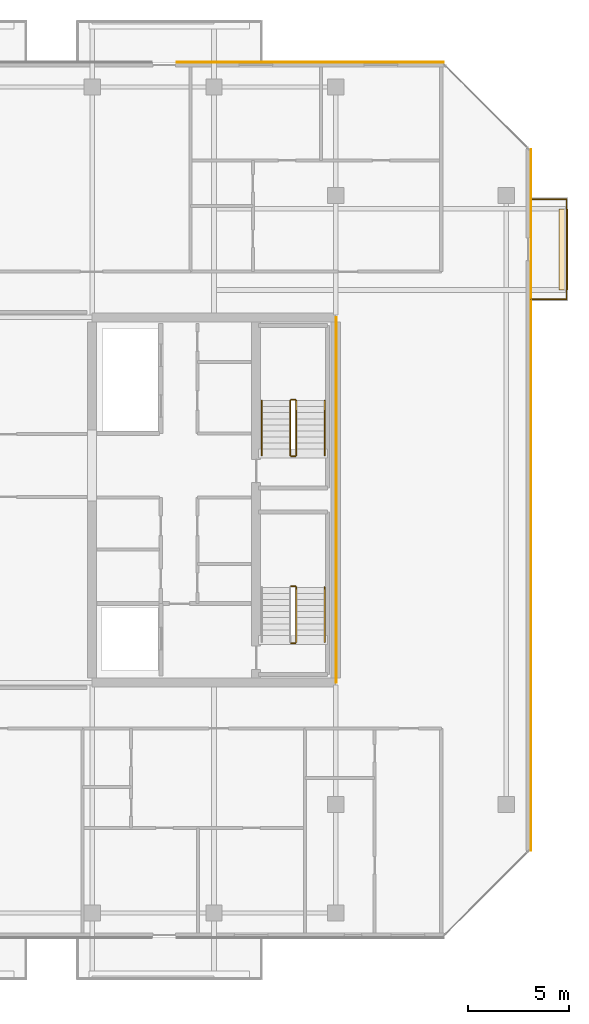
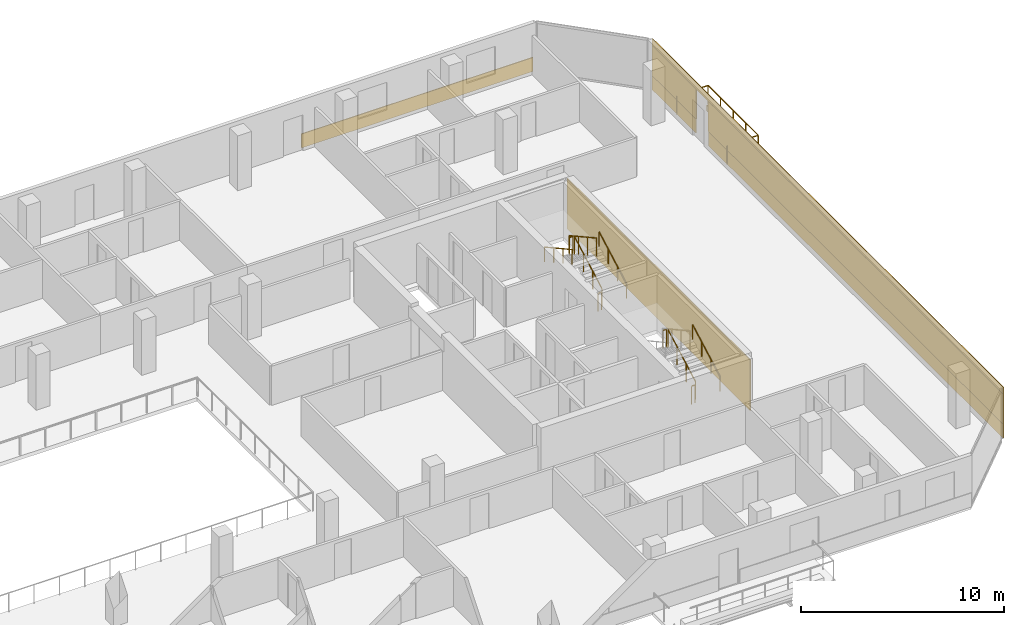
# One storey, part 29 of 29: 11 railings, 8 coverings.
"""IFC4 building model written with IfcOpenShell, lengths in metres."""

from ifc_helpers import new_model, si_unit, direction, frame, origin, origin_2d, place, context, subcontext, project, spatial, polyline, rectangle, outline, extrude, material, layer, layer_set, type_object, element, save


model = new_model("IFC4")

# Units and contexts
model_context = context("Model", 3, precision=1e-05, world=origin(), true_north=direction((0.0, 1.0)))
body_context = subcontext(model_context, "Body", "Model", "MODEL_VIEW")
ifc_project = project(units=[si_unit("LENGTHUNIT", "METRE"), si_unit("AREAUNIT", "SQUARE_METRE"), si_unit("VOLUMEUNIT", "CUBIC_METRE"), si_unit("PLANEANGLEUNIT", "RADIAN"), si_unit("MASSUNIT", "GRAM", prefix="KILO")], contexts=[model_context])

# Site, building, storey
site_placement = place(None, origin())
site = spatial("IfcSite", under=ifc_project, at=site_placement, CompositionType="ELEMENT")
building_placement = place(site_placement, origin())
building = spatial("IfcBuilding", under=site, at=building_placement, Name="Tanjung Sevakor Pilgrim Tower", CompositionType="ELEMENT")
storey_placement = place(building_placement, frame((0.0, 0.0, 181.830078125)))
storey = spatial("IfcBuildingStorey", under=building, at=storey_placement, Name="L50", CompositionType="ELEMENT", Elevation=181.830078125)

# Coverings
ifc_material_1 = material(Name="Reconstructed Limestone Cladding", Category="masonry")
ifc_layer_1 = layer(ifc_material_1, 0.044921875)
ifc_layer_set_1 = layer_set([ifc_layer_1], Name="COV-CLAD-LIMESTONE")
covering_type_1 = type_object("IfcCoveringType", Name="COV-CLAD-LIMESTONE", PredefinedType="CLADDING", material=ifc_layer_set_1)
covering_1_placement = place(storey_placement, frame((99.62255859375, 30.837890625, 0.009765625), z_axis=(0.0, 0.0, 1.0), x_axis=(0.0, 1.0, 0.0)))
element("IfcCovering", 1, at=covering_1_placement, inside=storey, type_object=covering_type_1, Name="L50 Warm Limestone Sill Spandrel EW-L50-MAIN-7-1", PredefinedType="CLADDING", context=body_context, shape_type="SweptSolid", body=[
    extrude(rectangle(XDim=29.00439453125, YDim=0.044921875, at=origin_2d()), origin(), (0.0, 0.0, 1.0), 0.840087890625),
])
covering_2_placement = place(storey_placement, frame((99.62255859375, 48.712158203125, 0.009765625), z_axis=(0.0, 0.0, 1.0), x_axis=(0.0, 1.0, 0.0)))
element("IfcCovering", 2, at=covering_2_placement, inside=storey, type_object=covering_type_1, Name="L50 Warm Limestone Sill Spandrel EW-L50-MAIN-7-2", PredefinedType="CLADDING", context=body_context, shape_type="SweptSolid", body=[
    extrude(rectangle(XDim=4.304443359375, YDim=0.044921875, at=origin_2d()), origin(), (0.0, 0.0, 1.0), 0.840087890625),
])
covering_3_placement = place(storey_placement, frame((99.62255859375, 33.60009765625, 2.66015625), z_axis=(0.0, 0.0, 1.0), x_axis=(0.0, 1.0, 0.0)))
element("IfcCovering", 3, at=covering_3_placement, inside=storey, type_object=covering_type_1, Name="L50 Warm Limestone Cornice Spandrel EW-L50-MAIN-7", PredefinedType="CLADDING", context=body_context, shape_type="SweptSolid", body=[
    extrude(rectangle(XDim=34.56884765625, YDim=0.044921875, at=origin_2d()), origin(), (0.0, 0.0, 1.0), 0.409912109375),
])
covering_4_placement = place(storey_placement, frame((99.62255859375, 30.8427734375, 0.849853515625), z_axis=(0.0, 0.0, 1.0), x_axis=(0.0, 1.0, 0.0)))
element("IfcCovering", 4, at=covering_4_placement, inside=storey, type_object=covering_type_1, Name="L50 Warm Limestone Pier Panel EW-L50-MAIN-7-1", PredefinedType="CLADDING", context=body_context, shape_type="SweptSolid", body=[
    extrude(rectangle(XDim=29.014404296875, YDim=0.044921875, at=origin_2d()), origin(), (0.0, 0.0, 1.0), 1.81005859375),
])
covering_5_placement = place(storey_placement, frame((99.62255859375, 48.707275390625, 0.849853515625), z_axis=(0.0, 0.0, 1.0), x_axis=(0.0, 1.0, 0.0)))
element("IfcCovering", 5, at=covering_5_placement, inside=storey, type_object=covering_type_1, Name="L50 Warm Limestone Pier Panel EW-L50-MAIN-7-2", PredefinedType="CLADDING", context=body_context, shape_type="SweptSolid", body=[
    extrude(rectangle(XDim=4.314453125, YDim=0.044921875, at=origin_2d()), origin(), (0.0, 0.0, 1.0), 1.81005859375),
])
covering_6_placement = place(storey_placement, frame((88.7373046875, 55.172607421875, 0.009765625), z_axis=(0.0, 0.0, 1.0), x_axis=(-1.0, 0.0, 0.0)))
element("IfcCovering", 6, at=covering_6_placement, inside=storey, type_object=covering_type_1, Name="L50 Warm Limestone Sill Spandrel EW-L50-MAIN-9-1", PredefinedType="CLADDING", context=body_context, shape_type="SweptSolid", body=[
    extrude(rectangle(XDim=13.154296875, YDim=0.044921875, at=origin_2d()), origin(), (0.0, 0.0, 1.0), 0.840087890625),
])
covering_7_placement = place(storey_placement, frame((90.0224609375, 33.60009765625, 0.02001953125), z_axis=(0.0, 0.0, 1.0), x_axis=(1.0, 0.0, 0.0)))
element("IfcCovering", 7, at=covering_7_placement, inside=storey, type_object=covering_type_1, Name="L50 Expressed Core Warm Limestone Cladding E", PredefinedType="CLADDING", context=body_context, shape_type="SweptSolid", body=[
    extrude(rectangle(XDim=0.044921875, YDim=18.0, at=origin_2d()), origin(), (0.0, 0.0, 1.0), 3.0400390625),
])
ifc_material_2 = material(Name="Vegetated Modular Planter Assembly", Category="organic")
ifc_layer_2 = layer(ifc_material_2, 0.35009765625)
ifc_layer_set_2 = layer_set([ifc_layer_2], Name="COV-GRN-TROUGH")
covering_type_2 = type_object("IfcCoveringType", Name="COV-GRN-TROUGH", PredefinedType="CLADDING", material=ifc_layer_set_2)
covering_8_placement = place(storey_placement, origin())
element("IfcCovering", 8, at=covering_8_placement, inside=storey, type_object=covering_type_2, Name="L50 Planted Landscape Hedge Trough BGRN-L50-MAIN-E1", PredefinedType="CLADDING", context=body_context, shape_type="SweptSolid", body=[
    extrude(outline(polyline([(101.449951171875, 43.949951171875), (101.449951171875, 47.949951171875), (101.010009765625, 47.949951171875), (101.010009765625, 43.949951171875), (101.449951171875, 43.949951171875)])), origin(), (0.0, 0.0, 1.0), 0.349853515625),
])

# Railings
ifc_material_3 = material(Name="Laminated Glass and Aluminium", Category="aluminium")
railing_type_1 = type_object("IfcRailingType", Name="RL-BAL-BALUST", PredefinedType="BALUSTRADE", material=ifc_material_3)
railing_1_placement = place(storey_placement, frame((99.60009765625, 43.47998046875, 0.0)))
element("IfcRailing", 9, at=railing_1_placement, inside=storey, type_object=railing_type_1, Name="L50 Loggia Balustrade MAIN-E1", PredefinedType="BALUSTRADE", context=body_context, shape_type="SweptSolid", body=[
    extrude(rectangle(XDim=0.0479, YDim=0.0479), frame((0.0, 0.0, 1.1259765625), z_axis=(1.0, 0.0, 0.0), x_axis=(0.0, 1.0, 0.0)), (0.0, 0.0, 1.0), 1.77001953125),
    extrude(rectangle(XDim=0.0479, YDim=0.0479), frame((1.77001953125, 0.0, 1.1259765625), z_axis=(0.0, 1.0, 0.0), x_axis=(-1.0, 0.0, 0.0)), (0.0, 0.0, 1.0), 4.93994140625),
    extrude(rectangle(XDim=0.0479, YDim=0.0479), frame((1.77001953125, 4.93994140625, 1.1259765625), z_axis=(-1.0, 0.0, 0.0), x_axis=(0.0, -1.0, 0.0)), (0.0, 0.0, 1.0), 1.77001953125),
    extrude(rectangle(XDim=0.042, YDim=0.042), origin(), (0.0, 0.0, 1.0), 1.101806640625),
    extrude(rectangle(XDim=0.042, YDim=0.042), frame((0.885009765625, 0.0, 0.0)), (0.0, 0.0, 1.0), 1.101806640625),
    extrude(rectangle(XDim=0.042, YDim=0.042), frame((1.77001953125, 0.0, 0.0)), (0.0, 0.0, 1.0), 1.101806640625),
    extrude(rectangle(XDim=0.042, YDim=0.042), frame((1.77001953125, 1.23486328125, 0.0)), (0.0, 0.0, 1.0), 1.101806640625),
    extrude(rectangle(XDim=0.042, YDim=0.042), frame((1.77001953125, 2.469970703125, 0.0)), (0.0, 0.0, 1.0), 1.101806640625),
    extrude(rectangle(XDim=0.042, YDim=0.042), frame((1.77001953125, 3.705078125, 0.0)), (0.0, 0.0, 1.0), 1.101806640625),
    extrude(rectangle(XDim=0.042, YDim=0.042), frame((1.77001953125, 4.93994140625, 0.0)), (0.0, 0.0, 1.0), 1.101806640625),
    extrude(rectangle(XDim=0.042, YDim=0.042), frame((0.885009765625, 4.93994140625, 0.0)), (0.0, 0.0, 1.0), 1.101806640625),
    extrude(rectangle(XDim=0.042, YDim=0.042), frame((0.0, 4.93994140625, 0.0)), (0.0, 0.0, 1.0), 1.101806640625),
])
ifc_material_4 = material(Name="Steel S355J2", Category="steel")
railing_type_2 = type_object("IfcRailingType", Name="RL-STAIR-GUARD", PredefinedType="GUARDRAIL", material=ifc_material_4)
railing_2_placement = place(storey_placement, frame((88.050048828125, 26.60009765625, 0.1650390625)))
element("IfcRailing", 10, at=railing_2_placement, inside=storey, type_object=railing_type_2, Name="L50 TS-E1 stair guard 1", PredefinedType="GUARDRAIL", context=body_context, shape_type="SweptSolid", body=[
    extrude(rectangle(XDim=0.0479, YDim=0.0479), frame((0.0, 0.0, 1.076171875), z_axis=(0.0, 0.876230963923, 0.481891375584), x_axis=(-1.0, 0.0, 0.0)), (0.0, 0.0, 1.0), 3.081298828125),
    extrude(rectangle(XDim=0.042, YDim=0.042), origin(), (0.0, 0.0, 1.0), 1.052001953125),
    extrude(rectangle(XDim=0.042, YDim=0.042), frame((0.0, 0.89990234375, 0.494873046875)), (0.0, 0.0, 1.0), 1.052001953125),
    extrude(rectangle(XDim=0.042, YDim=0.042), frame((0.0, 1.800048828125, 0.989990234375)), (0.0, 0.0, 1.0), 1.052001953125),
    extrude(rectangle(XDim=0.042, YDim=0.042), frame((0.0, 2.699951171875, 1.48486328125)), (0.0, 0.0, 1.0), 1.052001953125),
])
for number, where, name in (
    (11, (88.0, 29.35009765625, 1.64990234375), "L50 TS-E1 stair guard 2"),
    (12, (88.0, 26.550048828125, 0.0), "L50 TS-E1 stair guard 4"),
):
    element("IfcRailing", number, at=place(storey_placement, frame(where)), inside=storey, type_object=railing_type_2, Name=name, PredefinedType="GUARDRAIL", context=body_context, shape_type="SweptSolid", body=[
        extrude(rectangle(XDim=0.0479, YDim=0.0479), frame((0.0, 0.0, 1.076171875), z_axis=(-1.0, 0.0, 0.0), x_axis=(0.0, -1.0, 0.0)), (0.0, 0.0, 1.0), 0.199951171875),
        extrude(rectangle(XDim=0.042, YDim=0.042), origin(), (0.0, 0.0, 1.0), 1.052001953125),
        extrude(rectangle(XDim=0.042, YDim=0.042), frame((-0.199951171875, 0.0, 0.0)), (0.0, 0.0, 1.0), 1.052001953125),
    ])
railing_3_placement = place(storey_placement, frame((88.050048828125, 35.800048828125, 0.1650390625)))
element("IfcRailing", 13, at=railing_3_placement, inside=storey, type_object=railing_type_2, Name="L50 TS-E2 stair guard 1", PredefinedType="GUARDRAIL", context=body_context, shape_type="SweptSolid", body=[
    extrude(rectangle(XDim=0.0479, YDim=0.0479), frame((0.0, 0.0, 1.076171875), z_axis=(0.0, 0.876230963923, 0.481891375584), x_axis=(-1.0, 0.0, 0.0)), (0.0, 0.0, 1.0), 3.081298828125),
    extrude(rectangle(XDim=0.042, YDim=0.042), origin(), (0.0, 0.0, 1.0), 1.052001953125),
    extrude(rectangle(XDim=0.042, YDim=0.042), frame((0.0, 0.89990234375, 0.494873046875)), (0.0, 0.0, 1.0), 1.052001953125),
    extrude(rectangle(XDim=0.042, YDim=0.042), frame((0.0, 1.800048828125, 0.989990234375)), (0.0, 0.0, 1.0), 1.052001953125),
    extrude(rectangle(XDim=0.042, YDim=0.042), frame((0.0, 2.699951171875, 1.48486328125)), (0.0, 0.0, 1.0), 1.052001953125),
])
railing_4_placement = place(storey_placement, frame((88.0, 38.550048828125, 1.64990234375)))
element("IfcRailing", 14, at=railing_4_placement, inside=storey, type_object=railing_type_2, Name="L50 TS-E2 stair guard 2", PredefinedType="GUARDRAIL", context=body_context, shape_type="SweptSolid", body=[
    extrude(rectangle(XDim=0.0479, YDim=0.0479), frame((0.0, 0.0, 1.076171875), z_axis=(-1.0, 0.0, 0.0), x_axis=(0.0, -1.0, 0.0)), (0.0, 0.0, 1.0), 0.199951171875),
    extrude(rectangle(XDim=0.042, YDim=0.042), origin(), (0.0, 0.0, 1.0), 1.052001953125),
    extrude(rectangle(XDim=0.042, YDim=0.042), frame((-0.199951171875, 0.0, 0.0)), (0.0, 0.0, 1.0), 1.052001953125),
])
railing_5_placement = place(storey_placement, frame((87.75, 38.5, 1.81494140625)))
element("IfcRailing", 15, at=railing_5_placement, inside=storey, type_object=railing_type_2, Name="L50 TS-E2 stair guard 3", PredefinedType="GUARDRAIL", context=body_context, shape_type="SweptSolid", body=[
    extrude(rectangle(XDim=0.0479, YDim=0.0479), frame((0.0, 0.0, 1.076171875), z_axis=(0.0, -0.876230963923, 0.481891375584), x_axis=(1.0, 0.0, 0.0)), (0.0, 0.0, 1.0), 3.081298828125),
    extrude(rectangle(XDim=0.042, YDim=0.042), origin(), (0.0, 0.0, 1.0), 1.052001953125),
    extrude(rectangle(XDim=0.042, YDim=0.042), frame((0.0, -0.89990234375, 0.494873046875)), (0.0, 0.0, 1.0), 1.052001953125),
    extrude(rectangle(XDim=0.042, YDim=0.042), frame((0.0, -1.800048828125, 0.989990234375)), (0.0, 0.0, 1.0), 1.052001953125),
    extrude(rectangle(XDim=0.042, YDim=0.042), frame((0.0, -2.699951171875, 1.48486328125)), (0.0, 0.0, 1.0), 1.052001953125),
])
railing_6_placement = place(storey_placement, frame((88.0, 35.75, 0.0)))
element("IfcRailing", 16, at=railing_6_placement, inside=storey, type_object=railing_type_2, Name="L50 TS-E2 stair guard 4", PredefinedType="GUARDRAIL", context=body_context, shape_type="SweptSolid", body=[
    extrude(rectangle(XDim=0.0479, YDim=0.0479), frame((0.0, 0.0, 1.076171875), z_axis=(-1.0, 0.0, 0.0), x_axis=(0.0, -1.0, 0.0)), (0.0, 0.0, 1.0), 0.199951171875),
    extrude(rectangle(XDim=0.042, YDim=0.042), origin(), (0.0, 0.0, 1.0), 1.052001953125),
    extrude(rectangle(XDim=0.042, YDim=0.042), frame((-0.199951171875, 0.0, 0.0)), (0.0, 0.0, 1.0), 1.052001953125),
])
ifc_material_5 = material(Name="Steel S355J2", Category="steel")
railing_type_3 = type_object("IfcRailingType", Name="RL-STAIR-HAND", PredefinedType="HANDRAIL", material=ifc_material_5)
for number, where, name in (
    (17, (89.449951171875, 26.60009765625, 0.1650390625), "L50 TS-E1 stair handrail 1"),
    (18, (89.449951171875, 35.800048828125, 0.1650390625), "L50 TS-E2 stair handrail 1"),
):
    element("IfcRailing", number, at=place(storey_placement, frame(where)), inside=storey, type_object=railing_type_3, Name=name, PredefinedType="HANDRAIL", context=body_context, shape_type="SweptSolid", body=[
        extrude(rectangle(XDim=0.0479, YDim=0.0479), frame((0.0, 0.0, 0.8759765625), z_axis=(0.0, 0.876230963923, 0.481891375584), x_axis=(-1.0, 0.0, 0.0)), (0.0, 0.0, 1.0), 3.081298828125),
        extrude(rectangle(XDim=0.042, YDim=0.042), origin(), (0.0, 0.0, 1.0), 0.851806640625),
        extrude(rectangle(XDim=0.042, YDim=0.042), frame((0.0, 0.89990234375, 0.494873046875)), (0.0, 0.0, 1.0), 0.851806640625),
        extrude(rectangle(XDim=0.042, YDim=0.042), frame((0.0, 1.800048828125, 0.989990234375)), (0.0, 0.0, 1.0), 0.851806640625),
        extrude(rectangle(XDim=0.042, YDim=0.042), frame((0.0, 2.699951171875, 1.48486328125)), (0.0, 0.0, 1.0), 0.851806640625),
    ])
railing_7_placement = place(storey_placement, frame((86.35009765625, 38.5, 1.81494140625)))
element("IfcRailing", 19, at=railing_7_placement, inside=storey, type_object=railing_type_3, Name="L50 TS-E2 stair handrail 2", PredefinedType="HANDRAIL", context=body_context, shape_type="SweptSolid", body=[
    extrude(rectangle(XDim=0.0479, YDim=0.0479), frame((0.0, 0.0, 0.8759765625), z_axis=(0.0, -0.876230963923, 0.481891375584), x_axis=(1.0, 0.0, 0.0)), (0.0, 0.0, 1.0), 3.081298828125),
    extrude(rectangle(XDim=0.042, YDim=0.042), origin(), (0.0, 0.0, 1.0), 0.851806640625),
    extrude(rectangle(XDim=0.042, YDim=0.042), frame((0.0, -0.89990234375, 0.494873046875)), (0.0, 0.0, 1.0), 0.851806640625),
    extrude(rectangle(XDim=0.042, YDim=0.042), frame((0.0, -1.800048828125, 0.989990234375)), (0.0, 0.0, 1.0), 0.851806640625),
    extrude(rectangle(XDim=0.042, YDim=0.042), frame((0.0, -2.699951171875, 1.48486328125)), (0.0, 0.0, 1.0), 0.851806640625),
])

save(model, "model.ifc")
